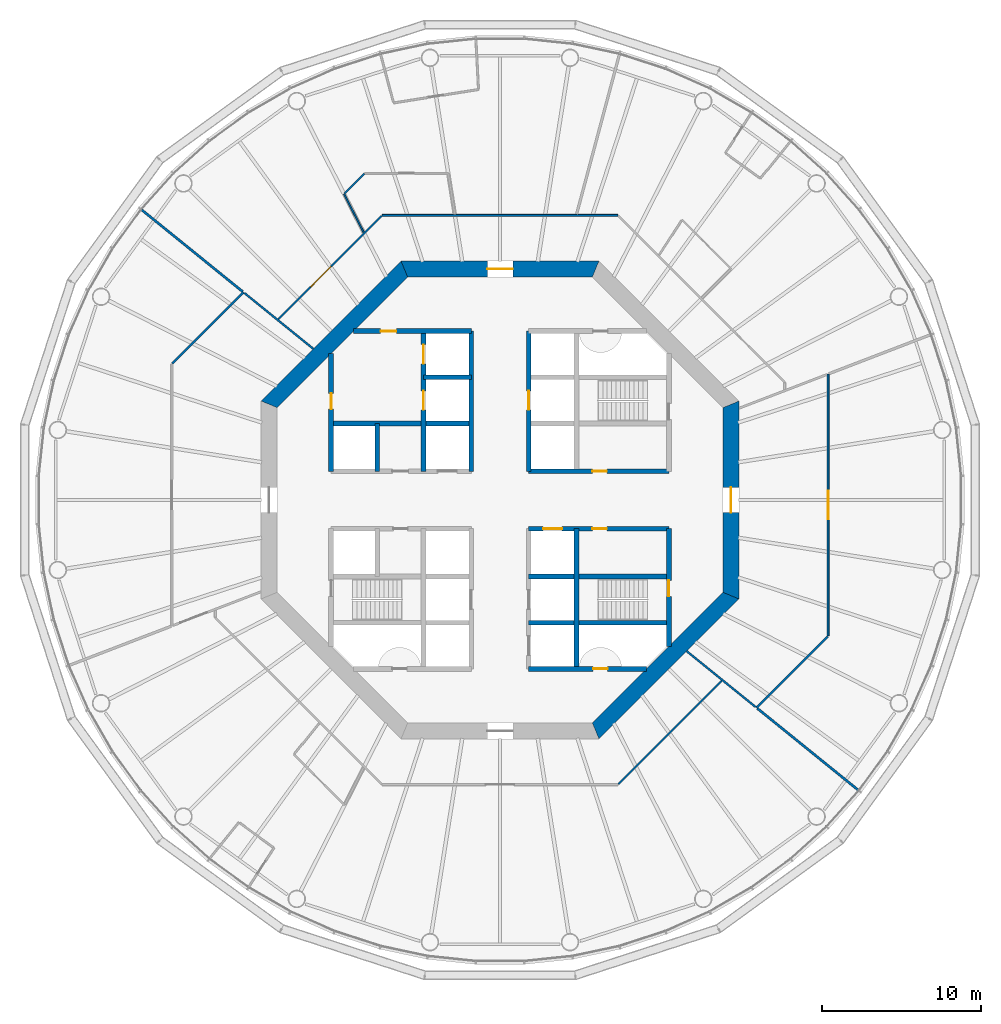
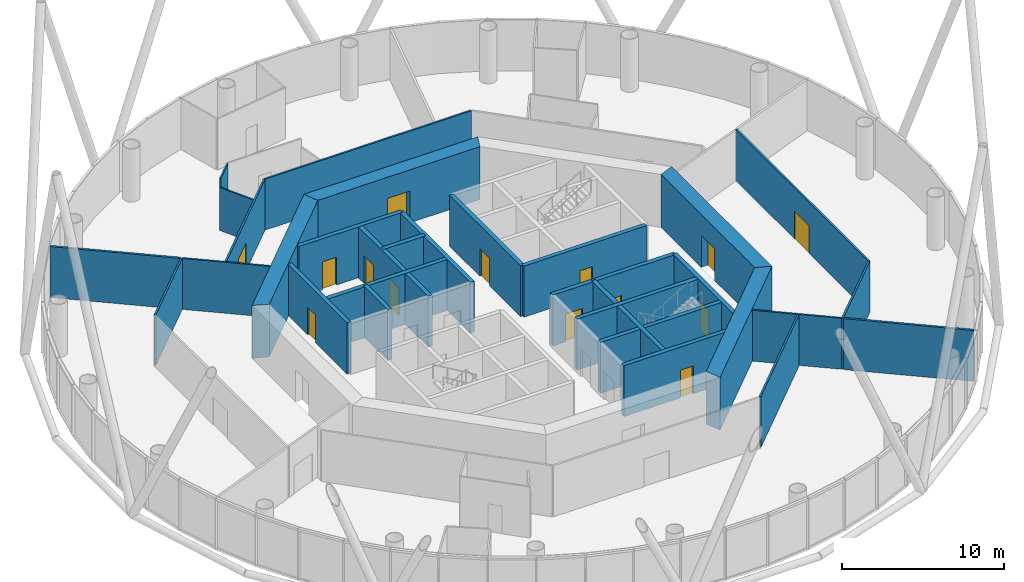
# One storey, part 4 of 12: 31 walls, 14 doors, 14 openings.
"""IFC4 building model written with IfcOpenShell, lengths in metres."""

import ifcopenshell
import ifcopenshell.guid

model = None  # the IFC model being written
_history = None  # IfcOwnerHistory: only IFC2X3 demands one
_inside = {}  # id of a spatial element -> (the spatial element, [elements in it])
_under = {}  # id of a project, library or spatial element -> (it, [spatial elements below it])
_declared = {}  # id of a project -> (the project, [libraries it declares])
_typed = {}  # id of a type object -> (the type object, [elements of that type])
_made_of = {}  # id of a material, layer set ... -> (it, [elements and type objects made of it])


def new_model(schema):
    """Start an empty IFC model of exactly this schema.

    Asked for "IFC4X3", IfcOpenShell would pick the latest addendum, in which some entities
    have other attributes; the version numbers below select the first issue.
    IFC2X3 requires an IfcOwnerHistory on every rooted entity: one is made here for all.
    """
    global model, _history
    if schema == "IFC4X3":
        model = ifcopenshell.file(schema_version=(4, 3, 0, 0))
    else:
        model = ifcopenshell.file(schema=schema)
    _inside.clear()
    _under.clear()
    _declared.clear()
    _typed.clear()
    _made_of.clear()
    _history = None
    if model.schema == "IFC2X3":
        org = make("IfcOrganization", Name="unknown")
        user = make(
            "IfcPersonAndOrganization",
            ThePerson=make("IfcPerson", FamilyName="unknown"),
            TheOrganization=org,
        )
        app = make(
            "IfcApplication",
            ApplicationDeveloper=org,
            Version="unknown",
            ApplicationFullName="unknown",
            ApplicationIdentifier="unknown",
        )
        _history = make(
            "IfcOwnerHistory",
            OwningUser=user,
            OwningApplication=app,
            ChangeAction="ADDED",
            CreationDate=0,
        )
    return model


def make(cls, **values):
    """One entity of the class cls with the attributes given. An attribute that is None is left unset."""
    return model.create_entity(
        cls, **{name: value for name, value in values.items() if value is not None}
    )


def rooted(cls, **values):
    """An entity with a GlobalId (a new one), such as an element, a storey or a relation."""
    return make(cls, GlobalId=ifcopenshell.guid.new(), OwnerHistory=_history, **values)


def si_unit(unit_type, name, prefix=None):
    """IfcSIUnit, for example si_unit("LENGTHUNIT", "METRE", prefix="MILLI")."""
    return make("IfcSIUnit", UnitType=unit_type, Prefix=prefix, Name=name)


def assignment(units):
    """IfcUnitAssignment: the units of a project."""
    return None if units is None else make("IfcUnitAssignment", Units=units)


def point(xyz):
    """IfcCartesianPoint."""
    return None if xyz is None else make("IfcCartesianPoint", Coordinates=xyz)


def direction(xyz):
    """IfcDirection."""
    return None if xyz is None else make("IfcDirection", DirectionRatios=xyz)


def frame(location, z_axis=None, x_axis=None):
    """IfcAxis2Placement3D, a coordinate frame: its origin and axes. An axis left out is left unset."""
    return make(
        "IfcAxis2Placement3D",
        Location=point(location),
        Axis=direction(z_axis),
        RefDirection=direction(x_axis),
    )


def frame_2d(location, x_axis=None):
    """IfcAxis2Placement2D, a coordinate frame in the plane: its origin and x axis."""
    return make(
        "IfcAxis2Placement2D", Location=point(location), RefDirection=direction(x_axis)
    )


def origin():
    """The frame at (0, 0, 0) with its axes left unset."""
    return frame((0.0, 0.0, 0.0))


def place(relative_to, where):
    """IfcLocalPlacement: puts the frame where relative to a parent placement (None: the world)."""
    return make(
        "IfcLocalPlacement", PlacementRelTo=relative_to, RelativePlacement=where
    )


def context(
    kind, dimensions, precision=None, world=None, true_north=None, identifier=None
):
    """IfcGeometricRepresentationContext, for example the 3D "Model" context."""
    return make(
        "IfcGeometricRepresentationContext",
        ContextIdentifier=identifier,
        ContextType=kind,
        CoordinateSpaceDimension=dimensions,
        Precision=precision,
        WorldCoordinateSystem=world,
        TrueNorth=true_north,
    )


def subcontext(parent, identifier, kind, view, scale=None):
    """IfcGeometricRepresentationSubContext, for example "Body" below "Model"."""
    return make(
        "IfcGeometricRepresentationSubContext",
        ContextIdentifier=identifier,
        ContextType=kind,
        ParentContext=parent,
        TargetScale=scale,
        TargetView=view,
    )


def project(units=None, contexts=None):
    """IfcProject with its units and contexts."""
    return rooted(
        "IfcProject",
        Name="project",
        RepresentationContexts=contexts,
        UnitsInContext=assignment(units),
    )


def spatial(cls, under=None, at=None, **own):
    """A site, building, storey or space (cls), placed at a placement, below another one or the project."""
    s = rooted(cls, ObjectPlacement=at, **own)
    if under is not None:
        _under.setdefault(under.id(), (under, []))[1].append(s)
    return s


def polyline(points):
    """IfcPolyline through the points."""
    return make("IfcPolyline", Points=[point(p) for p in points])


def profile(cls, at=None, kind="AREA", **sizes):
    """A parametric profile (cls). Its sizes go by their IFC names, for example OverallWidth=200.0."""
    return make(cls, ProfileType=kind, Position=at, **sizes)


def rectangle(**sizes):
    """IfcRectangleProfileDef."""
    return profile("IfcRectangleProfileDef", **sizes)


def outline(outer, holes=None, kind="AREA"):
    """IfcArbitraryClosedProfileDef: a profile drawn as a closed curve; with holes, ...WithVoids."""
    if holes is None:
        return make("IfcArbitraryClosedProfileDef", ProfileType=kind, OuterCurve=outer)
    return make(
        "IfcArbitraryProfileDefWithVoids",
        ProfileType=kind,
        OuterCurve=outer,
        InnerCurves=holes,
    )


def extrude(swept, where, along, depth):
    """IfcExtrudedAreaSolid: the profile swept, set in the frame where, extruded along a direction by depth."""
    return make(
        "IfcExtrudedAreaSolid",
        SweptArea=swept,
        Position=where,
        ExtrudedDirection=direction(along),
        Depth=depth,
    )


def shape(context_of_items, identifier, shape_type, items):
    """IfcShapeRepresentation: the items that make up one representation, for example the "Body"."""
    return make(
        "IfcShapeRepresentation",
        ContextOfItems=context_of_items,
        RepresentationIdentifier=identifier,
        RepresentationType=shape_type,
        Items=items,
    )


def material(Name=None, Category=None):
    """IfcMaterial."""
    return make("IfcMaterial", Name=Name, Category=Category)


def layer(
    of_material, thickness, ventilated=None, Name=None, Category=None, Priority=None
):
    """IfcMaterialLayer: one layer of a wall or slab, of a material (None: an air gap)."""
    return make(
        "IfcMaterialLayer",
        Material=of_material,
        LayerThickness=thickness,
        IsVentilated=ventilated,
        Name=Name,
        Category=Category,
        Priority=Priority,
    )


def layer_set(layers, Name=None):
    """IfcMaterialLayerSet."""
    return make("IfcMaterialLayerSet", MaterialLayers=layers, LayerSetName=Name)


def made_of(thing, what):
    """Note that an element or type object is made of a material, layer set ...; save() writes the relation."""
    if what is not None:
        _made_of.setdefault(what.id(), (what, []))[1].append(thing)
    return thing


def type_object(cls, material=None, **own):
    """A type object (cls), such as IfcWallType, which elements share."""
    return made_of(rooted(cls, **own), material)


def element(
    cls,
    number,
    at=None,
    inside=None,
    cuts=None,
    type_object=None,
    material=None,
    context=None,
    identifier="Body",
    shape_type=None,
    held_by="IfcProductDefinitionShape",
    body=None,
    shapes=None,
    **own,
):
    """One element of the class cls, such as IfcWall. Its Tag is "e" and its number.

    at: its placement. inside: the storey or other place that contains it. cuts: it is an
    opening in that element (IfcRelVoidsElement). A single representation is given by context,
    identifier, shape_type and body (its items); several are given by shapes. held_by: the class
    of the entity that holds the representations. save() writes the other relations.
    """
    e = rooted(cls, Tag="e%d" % number, ObjectPlacement=at, **own)
    if body is not None:
        shapes = [shape(context, identifier, shape_type, body)]
    if shapes is not None:
        e.Representation = make(held_by, Representations=shapes)
    if inside is not None:
        _inside.setdefault(inside.id(), (inside, []))[1].append(e)
    if cuts is not None:
        rooted(
            "IfcRelVoidsElement", RelatingBuildingElement=cuts, RelatedOpeningElement=e
        )
    if type_object is not None:
        _typed.setdefault(type_object.id(), (type_object, []))[1].append(e)
    return made_of(e, material)


def fill(opening, filler):
    """IfcRelFillsElement: the door or window that sits in an opening."""
    return rooted(
        "IfcRelFillsElement",
        RelatingOpeningElement=opening,
        RelatedBuildingElement=filler,
    )


def aggregate(whole, parts):
    """IfcRelAggregates: a whole, such as a stair, and the parts it consists of."""
    return rooted("IfcRelAggregates", RelatingObject=whole, RelatedObjects=parts)


def save(model, path):
    """Write the relations noted so far, then the file.

    IfcRelAggregates (storeys below a building ...), IfcRelContainedInSpatialStructure (elements
    in a storey), IfcRelDefinesByType, IfcRelAssociatesMaterial and IfcRelDeclares: one each for
    every whole, place, type object, material and project.
    """
    for whole, parts in _under.values():
        aggregate(whole, parts)
    for where, things in _inside.values():
        rooted(
            "IfcRelContainedInSpatialStructure",
            RelatedElements=things,
            RelatingStructure=where,
        )
    for kind, things in _typed.values():
        rooted("IfcRelDefinesByType", RelatedObjects=things, RelatingType=kind)
    for what, things in _made_of.values():
        rooted("IfcRelAssociatesMaterial", RelatedObjects=things, RelatingMaterial=what)
    for by, libraries in _declared.values():
        rooted("IfcRelDeclares", RelatingContext=by, RelatedDefinitions=libraries)
    model.write(path)


model = new_model("IFC4")

# Units and contexts
model_context = context("Model", 3, precision=1e-05, world=origin(), true_north=direction((0.0, 1.0)))
body_context = subcontext(model_context, "Body", "Model", "MODEL_VIEW")
ifc_project = project(units=[si_unit("LENGTHUNIT", "METRE"), si_unit("AREAUNIT", "SQUARE_METRE"), si_unit("VOLUMEUNIT", "CUBIC_METRE"), si_unit("PLANEANGLEUNIT", "RADIAN"), si_unit("MASSUNIT", "GRAM", prefix="KILO")], contexts=[model_context])

# Site, building, storey
site_placement = place(None, origin())
site = spatial("IfcSite", under=ifc_project, at=site_placement, CompositionType="ELEMENT")
building_placement = place(site_placement, origin())
building = spatial("IfcBuilding", under=site, at=building_placement, Name="Entoto Ring Tower", CompositionType="ELEMENT")
storey_placement = place(building_placement, frame((0.0, 0.0, 144.0)))
storey = spatial("IfcBuildingStorey", under=building, at=storey_placement, Name="L32", CompositionType="ELEMENT", Elevation=144.0)

# Wall, opening, door
ifc_material_1 = material(Name="Concrete C40/50", Category="concrete")
ifc_layer_1 = layer(ifc_material_1, 0.300048828125)
ifc_layer_set_1 = layer_set([ifc_layer_1], Name="Concrete C40/50")
wall_type_1 = type_object("IfcWallType", Name="Core enclosure wall 300 mm reinforced concrete", PredefinedType="SOLIDWALL", material=ifc_layer_set_1)
wall_1_placement = place(storey_placement, frame((100.60009765625, 70.801025390625, 0.0), z_axis=(0.0, 0.0, 1.0), x_axis=(0.0, 1.0, 0.0)))
wall_1 = element("IfcWall", 1, at=wall_1_placement, inside=storey, type_object=wall_type_1, Name="wall-L32-001", PredefinedType="SOLIDWALL", context=body_context, shape_type="SweptSolid", body=[
    extrude(rectangle(XDim=7.39892578125, YDim=0.300048828125, at=frame_2d((3.699462890625, 0.0))), origin(), (0.0, 0.0, 1.0), 3.85009765625),
])
opening_1_placement = place(wall_1_placement, frame((3.14892578125, 0.0, 0.0)))
opening_1 = element("IfcOpeningElement", 2, at=opening_1_placement, cuts=wall_1, Name="Opening K-17", PredefinedType="OPENING", context=body_context, shape_type="SweptSolid", body=[
    extrude(rectangle(XDim=1.0, YDim=2.10009765625, at=frame_2d((0.5, 1.050048828125))), frame((0.0, 0.16015625, 0.0), z_axis=(0.0, -1.0, 0.0), x_axis=(1.0, 0.0, 0.0)), (0.0, 0.0, 1.0), 0.320068359375),
])
ifc_material_2 = material(Name="Steel door leaf, fire rated", Category="steel")
ifc_layer_2 = layer(ifc_material_2, 0.050048828125)
ifc_layer_set_2 = layer_set([ifc_layer_2], Name="Steel door leaf, fire rated")
door_type_1 = type_object("IfcDoorType", Name="Fire door FD60 1000 x 2100 single leaf", OperationType="NOTDEFINED", PredefinedType="DOOR", material=ifc_layer_set_2)
door_1_placement = place(opening_1_placement, origin())
door_1 = element("IfcDoor", 3, at=door_1_placement, inside=storey, type_object=door_type_1, Name="Door K-17", OperationType="SINGLE_SWING_RIGHT", OverallHeight=2.10009765625, OverallWidth=1.0, PredefinedType="DOOR", context=body_context, shape_type="SweptSolid", body=[
    extrude(rectangle(XDim=1.0, YDim=2.10009765625, at=frame_2d((0.5, 1.050048828125))), frame((0.0, 0.02490234375, 0.0), z_axis=(0.0, -1.0, 0.0), x_axis=(1.0, 0.0, 0.0)), (0.0, 0.0, 1.0), 0.050048828125),
])
fill(opening_1, door_1)

# Wall
wall_2_placement = place(storey_placement, frame((94.800048828125, 69.39990234375, 0.0), z_axis=(0.0, 0.0, 1.0), x_axis=(0.0, 1.0, 0.0)))
element("IfcWall", 4, at=wall_2_placement, inside=storey, type_object=wall_type_1, Name="wall-L32-003", PredefinedType="SOLIDWALL", context=body_context, shape_type="SweptSolid", body=[
    extrude(rectangle(XDim=8.800048828125, YDim=0.300048828125, at=frame_2d((4.39990234375, 0.0))), origin(), (0.0, 0.0, 1.0), 3.85009765625),
])

# Wall, opening, door
wall_3_placement = place(storey_placement, frame((91.800048828125, 81.800048828125, 0.0), z_axis=(0.0, 0.0, 1.0), x_axis=(0.0, 1.0, 0.0)))
wall_3 = element("IfcWall", 5, at=wall_3_placement, inside=storey, type_object=wall_type_1, Name="wall-L32-006", PredefinedType="SOLIDWALL", context=body_context, shape_type="SweptSolid", body=[
    extrude(rectangle(XDim=8.800048828125, YDim=0.300048828125, at=frame_2d((4.39990234375, 0.0))), origin(), (0.0, 0.0, 1.0), 3.85009765625),
])
opening_2_placement = place(wall_3_placement, frame((3.85009765625, 0.0, 0.0)))
opening_2 = element("IfcOpeningElement", 6, at=opening_2_placement, cuts=wall_3, Name="Opening LD", PredefinedType="OPENING", context=body_context, shape_type="SweptSolid", body=[
    extrude(rectangle(XDim=1.199951171875, YDim=2.10009765625, at=frame_2d((0.60009765625, 1.050048828125))), frame((0.0, 0.16015625, 0.0), z_axis=(0.0, -1.0, 0.0), x_axis=(1.0, 0.0, 0.0)), (0.0, 0.0, 1.0), 0.320068359375),
])
ifc_material_3 = material(Name="Steel and glass door leaf", Category="steel")
ifc_layer_3 = layer(ifc_material_3, 0.050048828125)
ifc_layer_set_3 = layer_set([ifc_layer_3], Name="Steel and glass door leaf")
door_type_2 = type_object("IfcDoorType", Name="Landing door 1200 x 2100 sliding", OperationType="DOUBLE_DOOR_SLIDING", PredefinedType="DOOR", material=ifc_layer_set_3)
door_2_placement = place(opening_2_placement, origin())
door_2 = element("IfcDoor", 7, at=door_2_placement, inside=storey, type_object=door_type_2, Name="Landing door LB1-MR", OperationType="SLIDING_TO_RIGHT", OverallHeight=2.10009765625, OverallWidth=1.199951171875, PredefinedType="DOOR", context=body_context, shape_type="SweptSolid", body=[
    extrude(rectangle(XDim=1.199951171875, YDim=2.10009765625, at=frame_2d((0.60009765625, 1.050048828125))), frame((0.0, 0.02490234375, 0.0), z_axis=(0.0, -1.0, 0.0), x_axis=(1.0, 0.0, 0.0)), (0.0, 0.0, 1.0), 0.050048828125),
])
fill(opening_2, door_2)

# Wall
wall_4_placement = place(storey_placement, frame((88.199951171875, 81.800048828125, 0.0), z_axis=(0.0, 0.0, 1.0), x_axis=(0.0, 1.0, 0.0)))
element("IfcWall", 8, at=wall_4_placement, inside=storey, type_object=wall_type_1, Name="wall-L32-008", PredefinedType="SOLIDWALL", context=body_context, shape_type="SweptSolid", body=[
    extrude(rectangle(XDim=8.800048828125, YDim=0.300048828125, at=frame_2d((4.39990234375, 0.0))), origin(), (0.0, 0.0, 1.0), 3.85009765625),
])

# Wall, openings, doors
wall_5_placement = place(storey_placement, frame((85.199951171875, 81.800048828125, 0.0), z_axis=(0.0, 0.0, 1.0), x_axis=(0.0, 1.0, 0.0)))
wall_5 = element("IfcWall", 9, at=wall_5_placement, inside=storey, type_object=wall_type_1, Name="wall-L32-010", PredefinedType="SOLIDWALL", context=body_context, shape_type="SweptSolid", body=[
    extrude(rectangle(XDim=8.800048828125, YDim=0.300048828125, at=frame_2d((4.39990234375, 0.0))), origin(), (0.0, 0.0, 1.0), 3.85009765625),
])
opening_3_placement = place(wall_5_placement, frame((3.85009765625, 0.0, 0.0)))
opening_3 = element("IfcOpeningElement", 10, at=opening_3_placement, cuts=wall_5, Name="Opening LD", PredefinedType="OPENING", context=body_context, shape_type="SweptSolid", body=[
    extrude(rectangle(XDim=1.199951171875, YDim=2.10009765625, at=frame_2d((0.60009765625, 1.050048828125))), frame((0.0, 0.16015625, 0.0), z_axis=(0.0, -1.0, 0.0), x_axis=(1.0, 0.0, 0.0)), (0.0, 0.0, 1.0), 0.320068359375),
])
opening_4_placement = place(wall_5_placement, frame((6.75, 0.0, 0.0)))
opening_4 = element("IfcOpeningElement", 11, at=opening_4_placement, cuts=wall_5, Name="Opening LD", PredefinedType="OPENING", context=body_context, shape_type="SweptSolid", body=[
    extrude(rectangle(XDim=1.199951171875, YDim=2.10009765625, at=frame_2d((0.60009765625, 1.050048828125))), frame((0.0, 0.16015625, 0.0), z_axis=(0.0, -1.0, 0.0), x_axis=(1.0, 0.0, 0.0)), (0.0, 0.0, 1.0), 0.320068359375),
])
door_3_placement = place(opening_3_placement, origin())
door_3 = element("IfcDoor", 12, at=door_3_placement, inside=storey, type_object=door_type_2, Name="Landing door FF1", OperationType="SLIDING_TO_RIGHT", OverallHeight=2.10009765625, OverallWidth=1.199951171875, PredefinedType="DOOR", context=body_context, shape_type="SweptSolid", body=[
    extrude(rectangle(XDim=1.199951171875, YDim=2.10009765625, at=frame_2d((0.60009765625, 1.050048828125))), frame((0.0, 0.02490234375, 0.0), z_axis=(0.0, -1.0, 0.0), x_axis=(1.0, 0.0, 0.0)), (0.0, 0.0, 1.0), 0.050048828125),
])
fill(opening_3, door_3)
door_4_placement = place(opening_4_placement, origin())
door_4 = element("IfcDoor", 13, at=door_4_placement, inside=storey, type_object=door_type_2, Name="Landing door FF2", OperationType="SLIDING_TO_RIGHT", OverallHeight=2.10009765625, OverallWidth=1.199951171875, PredefinedType="DOOR", context=body_context, shape_type="SweptSolid", body=[
    extrude(rectangle(XDim=1.199951171875, YDim=2.10009765625, at=frame_2d((0.60009765625, 1.050048828125))), frame((0.0, 0.02490234375, 0.0), z_axis=(0.0, -1.0, 0.0), x_axis=(1.0, 0.0, 0.0)), (0.0, 0.0, 1.0), 0.050048828125),
])
fill(opening_4, door_4)

# Wall
wall_6_placement = place(storey_placement, frame((82.300048828125, 81.800048828125, 0.0), z_axis=(0.0, 0.0, 1.0), x_axis=(0.0, 1.0, 0.0)))
element("IfcWall", 14, at=wall_6_placement, inside=storey, type_object=wall_type_1, Name="wall-L32-012", PredefinedType="SOLIDWALL", context=body_context, shape_type="SweptSolid", body=[
    extrude(rectangle(XDim=3.0, YDim=0.300048828125, at=frame_2d((1.5, 0.0))), origin(), (0.0, 0.0, 1.0), 3.85009765625),
])

# Wall, opening, door
wall_7_placement = place(storey_placement, frame((79.39990234375, 81.800048828125, 0.0), z_axis=(0.0, 0.0, 1.0), x_axis=(0.0, 1.0, 0.0)))
wall_7 = element("IfcWall", 15, at=wall_7_placement, inside=storey, type_object=wall_type_1, Name="wall-L32-014", PredefinedType="SOLIDWALL", context=body_context, shape_type="SweptSolid", body=[
    extrude(rectangle(XDim=7.39892578125, YDim=0.300048828125, at=frame_2d((3.699462890625, 0.0))), origin(), (0.0, 0.0, 1.0), 3.85009765625),
])
opening_5_placement = place(wall_7_placement, frame((3.89990234375, 0.0, 0.0)))
opening_5 = element("IfcOpeningElement", 16, at=opening_5_placement, cuts=wall_7, Name="Opening K-67", PredefinedType="OPENING", context=body_context, shape_type="SweptSolid", body=[
    extrude(rectangle(XDim=1.0, YDim=2.10009765625, at=frame_2d((0.5, 1.050048828125))), frame((0.0, 0.16015625, 0.0), z_axis=(0.0, -1.0, 0.0), x_axis=(1.0, 0.0, 0.0)), (0.0, 0.0, 1.0), 0.320068359375),
])
door_5_placement = place(opening_5_placement, frame((1.0, 0.0, 0.0), z_axis=(0.0, 0.0, 1.0), x_axis=(-1.0, 0.0, 0.0)))
door_5 = element("IfcDoor", 17, at=door_5_placement, inside=storey, type_object=door_type_1, Name="Door K-67", OperationType="SINGLE_SWING_RIGHT", OverallHeight=2.10009765625, OverallWidth=1.0, PredefinedType="DOOR", context=body_context, shape_type="SweptSolid", body=[
    extrude(rectangle(XDim=1.0, YDim=2.10009765625, at=frame_2d((0.5, 1.050048828125))), frame((0.0, 0.02490234375, 0.0), z_axis=(0.0, -1.0, 0.0), x_axis=(1.0, 0.0, 0.0)), (0.0, 0.0, 1.0), 0.050048828125),
])
fill(opening_5, door_5)

wall_8_placement = place(storey_placement, frame((91.800048828125, 69.39990234375, 0.0), z_axis=(0.0, 0.0, 1.0), x_axis=(1.0, 0.0, 0.0)))
wall_8 = element("IfcWall", 18, at=wall_8_placement, inside=storey, type_object=wall_type_1, Name="wall-L32-016", PredefinedType="SOLIDWALL", context=body_context, shape_type="SweptSolid", body=[
    extrude(rectangle(XDim=7.39892578125, YDim=0.300048828125, at=frame_2d((3.699462890625, 0.0))), origin(), (0.0, 0.0, 1.0), 3.85009765625),
])
opening_6_placement = place(wall_8_placement, frame((4.050048828125, 0.0, 0.0)))
opening_6 = element("IfcOpeningElement", 19, at=opening_6_placement, cuts=wall_8, Name="Opening K-20", PredefinedType="OPENING", context=body_context, shape_type="SweptSolid", body=[
    extrude(rectangle(XDim=0.89990234375, YDim=2.10009765625, at=frame_2d((0.449951171875, 1.050048828125))), frame((0.0, 0.16015625, 0.0), z_axis=(0.0, -1.0, 0.0), x_axis=(1.0, 0.0, 0.0)), (0.0, 0.0, 1.0), 0.320068359375),
])
ifc_material_4 = material(Name="Steel door leaf, fire rated", Category="steel")
ifc_layer_4 = layer(ifc_material_4, 0.050048828125)
ifc_layer_set_4 = layer_set([ifc_layer_4], Name="Steel door leaf, fire rated")
door_type_3 = type_object("IfcDoorType", Name="Riser door FD60 900 x 2100 single leaf", OperationType="NOTDEFINED", PredefinedType="DOOR", material=ifc_layer_set_4)
door_6_placement = place(opening_6_placement, origin())
door_6 = element("IfcDoor", 20, at=door_6_placement, inside=storey, type_object=door_type_3, Name="Door K-20", OperationType="SINGLE_SWING_LEFT", OverallHeight=2.10009765625, OverallWidth=0.89990234375, PredefinedType="DOOR", context=body_context, shape_type="SweptSolid", body=[
    extrude(rectangle(XDim=0.89990234375, YDim=2.10009765625, at=frame_2d((0.449951171875, 1.050048828125))), frame((0.0, 0.02490234375, 0.0), z_axis=(0.0, -1.0, 0.0), x_axis=(1.0, 0.0, 0.0)), (0.0, 0.0, 1.0), 0.050048828125),
])
fill(opening_6, door_6)

# Walls
for number, where, z_axis, x_axis, name in (
    (21, (91.800048828125, 72.300048828125, 0.0), (0.0, 0.0, 1.0), (1.0, 0.0, 0.0), "wall-L32-018"),
    (22, (91.800048828125, 75.199951171875, 0.0), (0.0, 0.0, 1.0), (1.0, 0.0, 0.0), "wall-L32-020"),
):
    element("IfcWall", number, at=place(storey_placement, frame(where, z_axis=z_axis, x_axis=x_axis)), inside=storey, type_object=wall_type_1, Name=name, PredefinedType="SOLIDWALL", context=body_context, shape_type="SweptSolid", body=[
        extrude(rectangle(XDim=8.800048828125, YDim=0.300048828125, at=frame_2d((4.39990234375, 0.0))), origin(), (0.0, 0.0, 1.0), 3.85009765625),
    ])

# Wall, openings, doors
wall_9_placement = place(storey_placement, frame((91.800048828125, 78.199951171875, 0.0), z_axis=(0.0, 0.0, 1.0), x_axis=(1.0, 0.0, 0.0)))
wall_9 = element("IfcWall", 23, at=wall_9_placement, inside=storey, type_object=wall_type_1, Name="wall-L32-022", PredefinedType="SOLIDWALL", context=body_context, shape_type="SweptSolid", body=[
    extrude(rectangle(XDim=8.800048828125, YDim=0.300048828125, at=frame_2d((4.39990234375, 0.0))), origin(), (0.0, 0.0, 1.0), 3.85009765625),
])
opening_7_placement = place(wall_9_placement, frame((0.89990234375, 0.0, 0.0)))
opening_7 = element("IfcOpeningElement", 24, at=opening_7_placement, cuts=wall_9, Name="Opening LD", PredefinedType="OPENING", context=body_context, shape_type="SweptSolid", body=[
    extrude(rectangle(XDim=1.199951171875, YDim=2.10009765625, at=frame_2d((0.60009765625, 1.050048828125))), frame((0.0, 0.16015625, 0.0), z_axis=(0.0, -1.0, 0.0), x_axis=(1.0, 0.0, 0.0)), (0.0, 0.0, 1.0), 0.320068359375),
])
opening_8_placement = place(wall_9_placement, frame((4.0, 0.0, 0.0)))
opening_8 = element("IfcOpeningElement", 25, at=opening_8_placement, cuts=wall_9, Name="Opening K-12", PredefinedType="OPENING", context=body_context, shape_type="SweptSolid", body=[
    extrude(rectangle(XDim=0.89990234375, YDim=2.10009765625, at=frame_2d((0.449951171875, 1.050048828125))), frame((0.0, 0.16015625, 0.0), z_axis=(0.0, -1.0, 0.0), x_axis=(1.0, 0.0, 0.0)), (0.0, 0.0, 1.0), 0.320068359375),
])
ifc_material_5 = material(Name="Steel door leaf, fire rated", Category="steel")
ifc_layer_5 = layer(ifc_material_5, 0.050048828125)
ifc_layer_set_5 = layer_set([ifc_layer_5], Name="Steel door leaf, fire rated")
door_type_4 = type_object("IfcDoorType", Name="Core door 900 x 2100 single leaf", OperationType="NOTDEFINED", PredefinedType="DOOR", material=ifc_layer_set_5)
door_7_placement = place(opening_8_placement, frame((0.89990234375, 0.0, 0.0), z_axis=(0.0, 0.0, 1.0), x_axis=(-1.0, 0.0, 0.0)))
door_7 = element("IfcDoor", 26, at=door_7_placement, inside=storey, type_object=door_type_4, Name="Door K-12", OperationType="SINGLE_SWING_RIGHT", OverallHeight=2.10009765625, OverallWidth=0.89990234375, PredefinedType="DOOR", context=body_context, shape_type="SweptSolid", body=[
    extrude(rectangle(XDim=0.89990234375, YDim=2.10009765625, at=frame_2d((0.449951171875, 1.050048828125))), frame((0.0, 0.02490234375, 0.0), z_axis=(0.0, -1.0, 0.0), x_axis=(1.0, 0.0, 0.0)), (0.0, 0.0, 1.0), 0.050048828125),
])
fill(opening_8, door_7)
door_8_placement = place(opening_7_placement, origin())
door_8 = element("IfcDoor", 27, at=door_8_placement, inside=storey, type_object=door_type_2, Name="Landing door LB6-MR", OperationType="SLIDING_TO_LEFT", OverallHeight=2.10009765625, OverallWidth=1.199951171875, PredefinedType="DOOR", context=body_context, shape_type="SweptSolid", body=[
    extrude(rectangle(XDim=1.199951171875, YDim=2.10009765625, at=frame_2d((0.60009765625, 1.050048828125))), frame((0.0, 0.02490234375, 0.0), z_axis=(0.0, -1.0, 0.0), x_axis=(1.0, 0.0, 0.0)), (0.0, 0.0, 1.0), 0.050048828125),
])
fill(opening_7, door_8)

# Wall, opening, door
wall_10_placement = place(storey_placement, frame((91.800048828125, 81.800048828125, 0.0), z_axis=(0.0, 0.0, 1.0), x_axis=(1.0, 0.0, 0.0)))
wall_10 = element("IfcWall", 28, at=wall_10_placement, inside=storey, type_object=wall_type_1, Name="wall-L32-024", PredefinedType="SOLIDWALL", context=body_context, shape_type="SweptSolid", body=[
    extrude(rectangle(XDim=8.800048828125, YDim=0.300048828125, at=frame_2d((4.39990234375, 0.0))), origin(), (0.0, 0.0, 1.0), 3.85009765625),
])
opening_9_placement = place(wall_10_placement, frame((4.0, 0.0, 0.0)))
opening_9 = element("IfcOpeningElement", 29, at=opening_9_placement, cuts=wall_10, Name="Opening K-11", PredefinedType="OPENING", context=body_context, shape_type="SweptSolid", body=[
    extrude(rectangle(XDim=0.89990234375, YDim=2.10009765625, at=frame_2d((0.449951171875, 1.050048828125))), frame((0.0, 0.16015625, 0.0), z_axis=(0.0, -1.0, 0.0), x_axis=(1.0, 0.0, 0.0)), (0.0, 0.0, 1.0), 0.320068359375),
])
door_9_placement = place(opening_9_placement, origin())
door_9 = element("IfcDoor", 30, at=door_9_placement, inside=storey, type_object=door_type_4, Name="Door K-11", OperationType="SINGLE_SWING_LEFT", OverallHeight=2.10009765625, OverallWidth=0.89990234375, PredefinedType="DOOR", context=body_context, shape_type="SweptSolid", body=[
    extrude(rectangle(XDim=0.89990234375, YDim=2.10009765625, at=frame_2d((0.449951171875, 1.050048828125))), frame((0.0, 0.02490234375, 0.0), z_axis=(0.0, -1.0, 0.0), x_axis=(1.0, 0.0, 0.0)), (0.0, 0.0, 1.0), 0.050048828125),
])
fill(opening_9, door_9)

# Walls
wall_11_placement = place(storey_placement, frame((79.39990234375, 84.800048828125, 0.0), z_axis=(0.0, 0.0, 1.0), x_axis=(1.0, 0.0, 0.0)))
element("IfcWall", 31, at=wall_11_placement, inside=storey, type_object=wall_type_1, Name="wall-L32-025", PredefinedType="SOLIDWALL", context=body_context, shape_type="SweptSolid", body=[
    extrude(rectangle(XDim=8.800048828125, YDim=0.300048828125, at=frame_2d((4.39990234375, 0.0))), origin(), (0.0, 0.0, 1.0), 3.85009765625),
])
wall_12_placement = place(storey_placement, frame((85.199951171875, 87.699951171875, 0.0), z_axis=(0.0, 0.0, 1.0), x_axis=(1.0, 0.0, 0.0)))
element("IfcWall", 32, at=wall_12_placement, inside=storey, type_object=wall_type_1, Name="wall-L32-027", PredefinedType="SOLIDWALL", context=body_context, shape_type="SweptSolid", body=[
    extrude(rectangle(XDim=3.0, YDim=0.300048828125, at=frame_2d((1.5, 0.0))), origin(), (0.0, 0.0, 1.0), 3.85009765625),
])

# Wall, opening, door
wall_13_placement = place(storey_placement, frame((80.801025390625, 90.60009765625, 0.0), z_axis=(0.0, 0.0, 1.0), x_axis=(1.0, 0.0, 0.0)))
wall_13 = element("IfcWall", 33, at=wall_13_placement, inside=storey, type_object=wall_type_1, Name="wall-L32-029", PredefinedType="SOLIDWALL", context=body_context, shape_type="SweptSolid", body=[
    extrude(rectangle(XDim=7.39892578125, YDim=0.300048828125, at=frame_2d((3.699462890625, 0.0))), origin(), (0.0, 0.0, 1.0), 3.85009765625),
])
opening_10_placement = place(wall_13_placement, frame((1.698974609375, 0.0, 0.0)))
opening_10 = element("IfcOpeningElement", 34, at=opening_10_placement, cuts=wall_13, Name="Opening K-22", PredefinedType="OPENING", context=body_context, shape_type="SweptSolid", body=[
    extrude(rectangle(XDim=1.0, YDim=2.10009765625, at=frame_2d((0.5, 1.050048828125))), frame((0.0, 0.16015625, 0.0), z_axis=(0.0, -1.0, 0.0), x_axis=(1.0, 0.0, 0.0)), (0.0, 0.0, 1.0), 0.320068359375),
])
door_10_placement = place(opening_10_placement, frame((1.0, 0.0, 0.0), z_axis=(0.0, 0.0, 1.0), x_axis=(-1.0, 0.0, 0.0)))
door_10 = element("IfcDoor", 35, at=door_10_placement, inside=storey, type_object=door_type_1, Name="Door K-22", OperationType="SINGLE_SWING_LEFT", OverallHeight=2.10009765625, OverallWidth=1.0, PredefinedType="DOOR", context=body_context, shape_type="SweptSolid", body=[
    extrude(rectangle(XDim=1.0, YDim=2.10009765625, at=frame_2d((0.5, 1.050048828125))), frame((0.0, 0.02490234375, 0.0), z_axis=(0.0, -1.0, 0.0), x_axis=(1.0, 0.0, 0.0)), (0.0, 0.0, 1.0), 0.050048828125),
])
fill(opening_10, door_10)

ifc_material_6 = material(Name="Concrete C50/60", Category="concrete")
ifc_layer_6 = layer(ifc_material_6, 1.0)
ifc_layer_set_6 = layer_set([ifc_layer_6], Name="Concrete C50/60")
wall_type_2 = type_object("IfcWallType", Name="Core shear wall 1000 mm reinforced concrete C50/60", PredefinedType="SHEAR", material=ifc_layer_set_6)
wall_14_placement = place(storey_placement, frame((104.5, 73.993896484375, 0.0), z_axis=(0.0, 0.0, 1.0), x_axis=(0.0, 1.0, 0.0)))
wall_14 = element("IfcWall", 36, at=wall_14_placement, inside=storey, type_object=wall_type_2, Name="wall-L32-core-0", PredefinedType="SHEAR", context=body_context, shape_type="SweptSolid", body=[
    extrude(outline(polyline([(-0.20703125, -0.5), (12.21923828125, -0.5), (11.80517578125, 0.5), (0.20703125, 0.5), (-0.20703125, -0.5)])), origin(), (0.0, 0.0, 1.0), 4.0),
])
opening_11_placement = place(wall_14_placement, frame((5.2060546875, 0.0, 0.0)))
opening_11 = element("IfcOpeningElement", 37, at=opening_11_placement, cuts=wall_14, Name="Opening K-01", PredefinedType="OPENING", context=body_context, shape_type="SweptSolid", body=[
    extrude(rectangle(XDim=1.60009765625, YDim=2.39990234375, at=frame_2d((0.800048828125, 1.199951171875))), frame((0.0, 0.510009765625, 0.0), z_axis=(0.0, -1.0, 0.0), x_axis=(1.0, 0.0, 0.0)), (0.0, 0.0, 1.0), 1.02001953125),
])
ifc_material_7 = material(Name="Steel door leaf, fire rated", Category="steel")
ifc_layer_7 = layer(ifc_material_7, 0.050048828125)
ifc_layer_set_7 = layer_set([ifc_layer_7], Name="Steel door leaf, fire rated")
door_type_5 = type_object("IfcDoorType", Name="Entrance door FD60 1600 x 2400 double leaf", OperationType="DOUBLE_DOOR_SINGLE_SWING", PredefinedType="DOOR", material=ifc_layer_set_7)
door_11_placement = place(opening_11_placement, origin())
door_11 = element("IfcDoor", 38, at=door_11_placement, inside=storey, type_object=door_type_5, Name="Entrance door K-01", OperationType="DOUBLE_DOOR_SINGLE_SWING", OverallHeight=2.39990234375, OverallWidth=1.60009765625, PredefinedType="DOOR", context=body_context, shape_type="SweptSolid", body=[
    extrude(rectangle(XDim=1.60009765625, YDim=2.39990234375, at=frame_2d((0.800048828125, 1.199951171875))), frame((0.0, 0.02490234375, 0.0), z_axis=(0.0, -1.0, 0.0), x_axis=(1.0, 0.0, 0.0)), (0.0, 0.0, 1.0), 0.050048828125),
])
fill(opening_11, door_11)

wall_15_placement = place(storey_placement, frame((96.006103515625, 94.5, 0.0), z_axis=(0.0, 0.0, 1.0), x_axis=(-1.0, 0.0, 0.0)))
wall_15 = element("IfcWall", 39, at=wall_15_placement, inside=storey, type_object=wall_type_2, Name="wall-L32-core-2", PredefinedType="SHEAR", context=body_context, shape_type="SweptSolid", body=[
    extrude(outline(polyline([(-0.20703125, -0.5), (12.21923828125, -0.5), (11.80517578125, 0.5), (0.20703125, 0.5), (-0.20703125, -0.5)])), origin(), (0.0, 0.0, 1.0), 4.0),
])
opening_12_placement = place(wall_15_placement, frame((5.2060546875, 0.0, 0.0)))
opening_12 = element("IfcOpeningElement", 40, at=opening_12_placement, cuts=wall_15, Name="Opening K-02", PredefinedType="OPENING", context=body_context, shape_type="SweptSolid", body=[
    extrude(rectangle(XDim=1.60009765625, YDim=2.39990234375, at=frame_2d((0.800048828125, 1.199951171875))), frame((0.0, 0.510009765625, 0.0), z_axis=(0.0, -1.0, 0.0), x_axis=(1.0, 0.0, 0.0)), (0.0, 0.0, 1.0), 1.02001953125),
])
door_12_placement = place(opening_12_placement, origin())
door_12 = element("IfcDoor", 41, at=door_12_placement, inside=storey, type_object=door_type_5, Name="Entrance door K-02", OperationType="DOUBLE_DOOR_SINGLE_SWING", OverallHeight=2.39990234375, OverallWidth=1.60009765625, PredefinedType="DOOR", context=body_context, shape_type="SweptSolid", body=[
    extrude(rectangle(XDim=1.60009765625, YDim=2.39990234375, at=frame_2d((0.800048828125, 1.199951171875))), frame((0.0, 0.02490234375, 0.0), z_axis=(0.0, -1.0, 0.0), x_axis=(1.0, 0.0, 0.0)), (0.0, 0.0, 1.0), 0.050048828125),
])
fill(opening_12, door_12)

# Walls
for number, where, z_axis, x_axis, name in (
    (42, (83.993896484375, 94.5, 0.0), (0.0, 0.0, 1.0), (-0.707106781187, -0.707106781187, 0.0), "wall-L32-core-3"),
    (43, (96.006103515625, 65.5, 0.0), (0.0, 0.0, 1.0), (0.707106781187, 0.707106781187, 0.0), "wall-L32-core-7"),
):
    element("IfcWall", number, at=place(storey_placement, frame(where, z_axis=z_axis, x_axis=x_axis)), inside=storey, type_object=wall_type_2, Name=name, PredefinedType="SHEAR", context=body_context, shape_type="SweptSolid", body=[
        extrude(outline(polyline([(-0.20703125, -0.5), (12.21923828125, -0.5), (11.80517578125, 0.5), (0.20703125, 0.5), (-0.20703125, -0.5)])), origin(), (0.0, 0.0, 1.0), 4.0),
    ])

# Wall, opening, door
ifc_material_8 = material(Name="Fire-resisting plasterboard on steel studs", Category="steel")
ifc_layer_8 = layer(ifc_material_8, 0.125)
ifc_layer_set_8 = layer_set([ifc_layer_8], Name="Fire-resisting plasterboard on steel studs")
wall_type_3 = type_object("IfcWallType", Name="Corridor wall 125 mm one-hour plasterboard on steel studs", PredefinedType="PARTITIONING", material=ifc_layer_set_8)
wall_16_placement = place(storey_placement, frame((110.60009765625, 71.46728515625, 0.0), z_axis=(0.0, 0.0, 1.0), x_axis=(0.0, 1.0, 0.0)))
wall_16 = element("IfcWall", 44, at=wall_16_placement, inside=storey, type_object=wall_type_3, Name="partition-L32-002", PredefinedType="PARTITIONING", context=body_context, shape_type="SweptSolid", body=[
    extrude(rectangle(XDim=16.4404296875, YDim=0.125, at=frame_2d((8.22021484375, 0.0))), origin(), (0.0, 0.0, 1.0), 3.85009765625),
])
opening_13_placement = place(wall_16_placement, frame((7.3203125, 0.0, 0.0)))
opening_13 = element("IfcOpeningElement", 45, at=opening_13_placement, cuts=wall_16, Name="Opening A15-D01", PredefinedType="OPENING", context=body_context, shape_type="SweptSolid", body=[
    extrude(rectangle(XDim=1.800048828125, YDim=2.10009765625, at=frame_2d((0.89990234375, 1.050048828125))), frame((0.0, 0.072509765625, 0.0), z_axis=(0.0, -1.0, 0.0), x_axis=(1.0, 0.0, 0.0)), (0.0, 0.0, 1.0), 0.14501953125),
])
ifc_material_9 = material(Name="Fire-resisting timber door set", Category="wood")
door_type_6 = type_object("IfcDoorType", Name="Door 1800 x 2100 double leaf FD30S fire door", OperationType="DOUBLE_DOOR_SINGLE_SWING", PredefinedType="DOOR", material=ifc_material_9)
door_13_placement = place(opening_13_placement, frame((1.800048828125, 0.0, 0.0), z_axis=(0.0, 0.0, 1.0), x_axis=(-1.0, 0.0, 0.0)))
door_13 = element("IfcDoor", 46, at=door_13_placement, inside=storey, type_object=door_type_6, Name="Door A15-D01", OperationType="DOUBLE_DOOR_SINGLE_SWING", OverallHeight=2.10009765625, OverallWidth=1.800048828125, PredefinedType="DOOR", context=body_context, shape_type="SweptSolid", body=[
    extrude(rectangle(XDim=1.800048828125, YDim=2.10009765625, at=frame_2d((0.89990234375, 1.050048828125))), frame((0.0, 0.02490234375, 0.0), z_axis=(0.0, -1.0, 0.0), x_axis=(1.0, 0.0, 0.0)), (0.0, 0.0, 1.0), 0.050048828125),
])
fill(opening_13, door_13)

# Wall
wall_17_placement = place(storey_placement, frame((82.60107421875, 97.862548828125, 0.0), z_axis=(0.0, 0.0, 1.0), x_axis=(1.0, 0.0, 0.0)))
element("IfcWall", 47, at=wall_17_placement, inside=storey, type_object=wall_type_3, Name="partition-L32-004", PredefinedType="PARTITIONING", context=body_context, shape_type="SweptSolid", body=[
    extrude(rectangle(XDim=14.7978515625, YDim=0.125, at=frame_2d((7.39892578125, 0.0))), origin(), (0.0, 0.0, 1.0), 3.85009765625),
])

# Wall, opening, door
wall_18_placement = place(storey_placement, frame((76.0908203125, 91.352294921875, 0.0), z_axis=(0.0, 0.0, 1.0), x_axis=(0.707120103343, 0.707093458779, 0.0)))
wall_18 = element("IfcWall", 48, at=wall_18_placement, inside=storey, type_object=wall_type_3, Name="partition-L32-007", PredefinedType="PARTITIONING", context=body_context, shape_type="SweptSolid", body=[
    extrude(rectangle(XDim=9.162841796875, YDim=0.125, at=frame_2d((4.58154296875, 0.0))), origin(), (0.0, 0.0, 1.0), 3.85009765625),
])
opening_14_placement = place(wall_18_placement, frame((2.871337890625, 0.0, 0.0)))
opening_14 = element("IfcOpeningElement", 49, at=opening_14_placement, cuts=wall_18, Name="Opening A15-D06", PredefinedType="OPENING", context=body_context, shape_type="SweptSolid", body=[
    extrude(rectangle(XDim=1.800048828125, YDim=2.10009765625, at=frame_2d((0.89990234375, 1.050048828125))), frame((0.0, 0.072509765625, 0.0), z_axis=(0.0, -1.0, 0.0), x_axis=(1.0, 0.0, 0.0)), (0.0, 0.0, 1.0), 0.14501953125),
])
door_14_placement = place(opening_14_placement, origin())
door_14 = element("IfcDoor", 50, at=door_14_placement, inside=storey, type_object=door_type_6, Name="Door A15-D06", OperationType="DOUBLE_DOOR_SINGLE_SWING", OverallHeight=2.10009765625, OverallWidth=1.800048828125, PredefinedType="DOOR", context=body_context, shape_type="SweptSolid", body=[
    extrude(rectangle(XDim=1.800048828125, YDim=2.10009765625, at=frame_2d((0.89990234375, 1.050048828125))), frame((0.0, 0.02490234375, 0.0), z_axis=(0.0, -1.0, 0.0), x_axis=(1.0, 0.0, 0.0)), (0.0, 0.0, 1.0), 0.050048828125),
])
fill(opening_14, door_14)

# Walls
wall_19_placement = place(storey_placement, frame((97.429931640625, 62.168701171875, 0.0), z_axis=(0.0, 0.0, 1.0), x_axis=(0.707120103343, 0.707093458779, 0.0)))
element("IfcWall", 51, at=wall_19_placement, inside=storey, type_object=wall_type_3, Name="partition-L32-008", PredefinedType="PARTITIONING", context=body_context, shape_type="SweptSolid", body=[
    extrude(rectangle(XDim=9.162841796875, YDim=0.125, at=frame_2d((4.58154296875, 0.0))), origin(), (0.0, 0.0, 1.0), 3.85009765625),
])
for number, where, z_axis, x_axis, name in (
    (52, (69.43115234375, 88.56396484375, 0.0), (0.0, 0.0, 1.0), (0.707106781187, 0.707106781187, 0.0), "partition-L32-009"),
    (53, (106.097412109375, 66.964599609375, 0.0), (0.0, 0.0, 1.0), (0.707106781187, 0.707106781187, 0.0), "partition-L32-010"),
):
    element("IfcWall", number, at=place(storey_placement, frame(where, z_axis=z_axis, x_axis=x_axis)), inside=storey, type_object=wall_type_3, Name=name, PredefinedType="PARTITIONING", context=body_context, shape_type="SweptSolid", body=[
        extrude(rectangle(XDim=6.323486328125, YDim=0.125, at=frame_2d((3.16162109375, 0.0))), origin(), (0.0, 0.0, 1.0), 3.85009765625),
    ])
for number, where, z_axis, x_axis, name in (
    (54, (78.278564453125, 89.49169921875, 0.0), (0.0, 0.0, 1.0), (-0.777129489168, 0.629340732089, 0.0), "partition-L32-013"),
    (55, (106.049072265625, 67.003662109375, 0.0), (0.0, 0.0, 1.0), (-0.777129489168, 0.629340732089, 0.0), "partition-L32-014"),
):
    element("IfcWall", number, at=place(storey_placement, frame(where, z_axis=z_axis, x_axis=x_axis)), inside=storey, type_object=wall_type_3, Name=name, PredefinedType="PARTITIONING", context=body_context, shape_type="SweptSolid", body=[
        extrude(rectangle(XDim=5.56884765625, YDim=0.125, at=frame_2d((2.784423828125, 0.0))), origin(), (0.0, 0.0, 1.0), 3.85009765625),
    ])
ifc_material_10 = material(Name="Plasterboard on steel studs", Category="steel")
ifc_layer_9 = layer(ifc_material_10, 0.10009765625)
ifc_layer_set_9 = layer_set([ifc_layer_9], Name="Plasterboard on steel studs")
wall_type_4 = type_object("IfcWallType", Name="Partition 100 mm plasterboard on steel studs", PredefinedType="PARTITIONING", material=ifc_layer_set_9)
wall_20_placement = place(storey_placement, frame((80.24658203125, 99.241455078125, 0.0), z_axis=(0.0, 0.0, 1.0), x_axis=(0.707036953825, 0.707176601653, 0.0)))
element("IfcWall", 56, at=wall_20_placement, inside=storey, type_object=wall_type_4, Name="partition-L32-040", PredefinedType="PARTITIONING", context=body_context, shape_type="SweptSolid", body=[
    extrude(rectangle(XDim=1.748291015625, YDim=0.10009765625, at=frame_2d((0.8740234375, 0.0))), origin(), (0.0, 0.0, 1.0), 3.85009765625),
])
ifc_material_11 = material(Name="Plasterboard on steel studs", Category="steel")
ifc_layer_10 = layer(ifc_material_11, 0.10009765625)
ifc_layer_set_10 = layer_set([ifc_layer_10], Name="Plasterboard on steel studs")
wall_type_5 = type_object("IfcWallType", Name="Partition 100 mm plasterboard on steel studs, 3250 mm high", PredefinedType="PARTITIONING", material=ifc_layer_set_10)
wall_21_placement = place(storey_placement, frame((81.43603515625, 96.8076171875, 0.0), z_axis=(0.0, 0.0, 1.0), x_axis=(-0.453943430004, 0.89103050585, 0.0)))
element("IfcWall", 57, at=wall_21_placement, inside=storey, type_object=wall_type_5, Name="partition-L32-032", PredefinedType="PARTITIONING", context=body_context, shape_type="SweptSolid", body=[
    extrude(rectangle(XDim=2.69384765625, YDim=0.10009765625, at=frame_2d((1.346923828125, 0.0))), origin(), (0.0, 0.0, 1.0), 3.25),
])
ifc_material_12 = material(Name="Fire-resisting acoustic plasterboard on steel studs", Category="steel")
ifc_layer_11 = layer(ifc_material_12, 0.14990234375)
ifc_layer_set_11 = layer_set([ifc_layer_11], Name="Fire-resisting acoustic plasterboard on steel studs")
wall_type_6 = type_object("IfcWallType", Name="Party wall 150 mm one-hour acoustic plasterboard on steel studs", PredefinedType="PARTITIONING", material=ifc_layer_set_11)
for number, where, z_axis, x_axis, name in (
    (58, (73.84765625, 93.079833984375, 0.0), (0.0, 0.0, 1.0), (-0.777143081467, 0.629323947524, 0.0), "partition-L32-018"),
    (59, (112.490478515625, 61.78759765625, 0.0), (0.0, 0.0, 1.0), (-0.777143081467, 0.629323947524, 0.0), "partition-L32-019"),
):
    element("IfcWall", number, at=place(storey_placement, frame(where, z_axis=z_axis, x_axis=x_axis)), inside=storey, type_object=wall_type_6, Name=name, PredefinedType="PARTITIONING", context=body_context, shape_type="SweptSolid", body=[
        extrude(rectangle(XDim=8.15576171875, YDim=0.14990234375, at=frame_2d((4.077880859375, 0.0))), origin(), (0.0, 0.0, 1.0), 3.85009765625),
    ])

save(model, "model.ifc")
